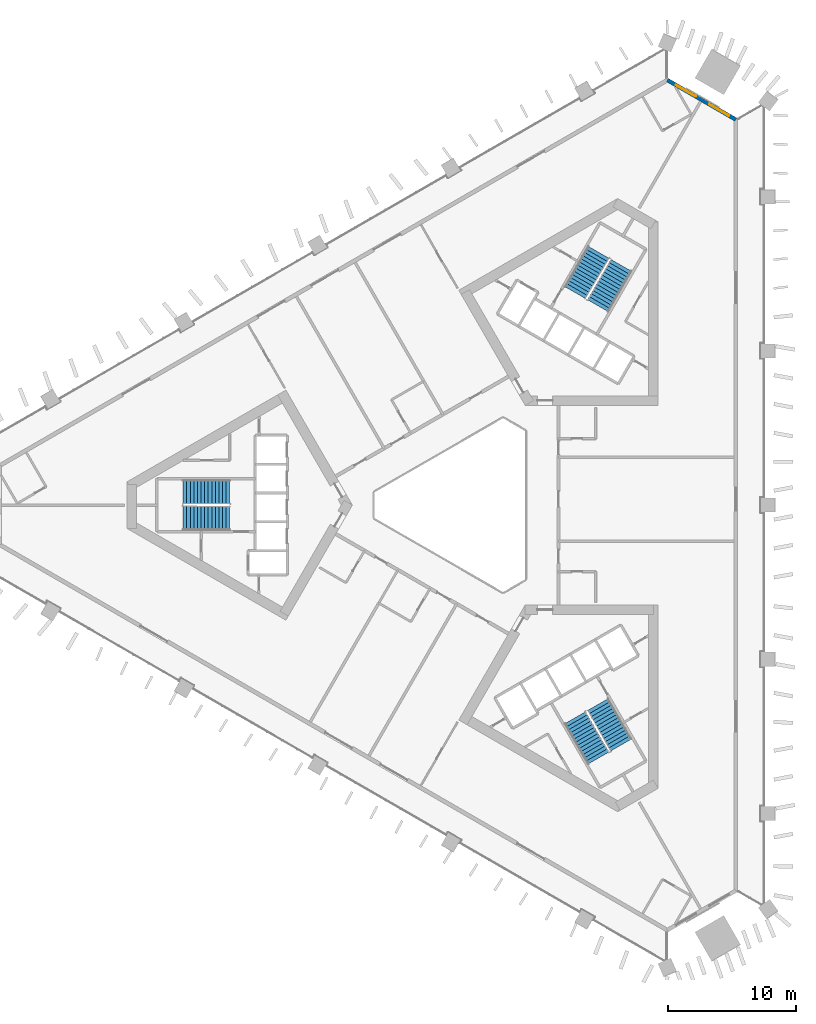
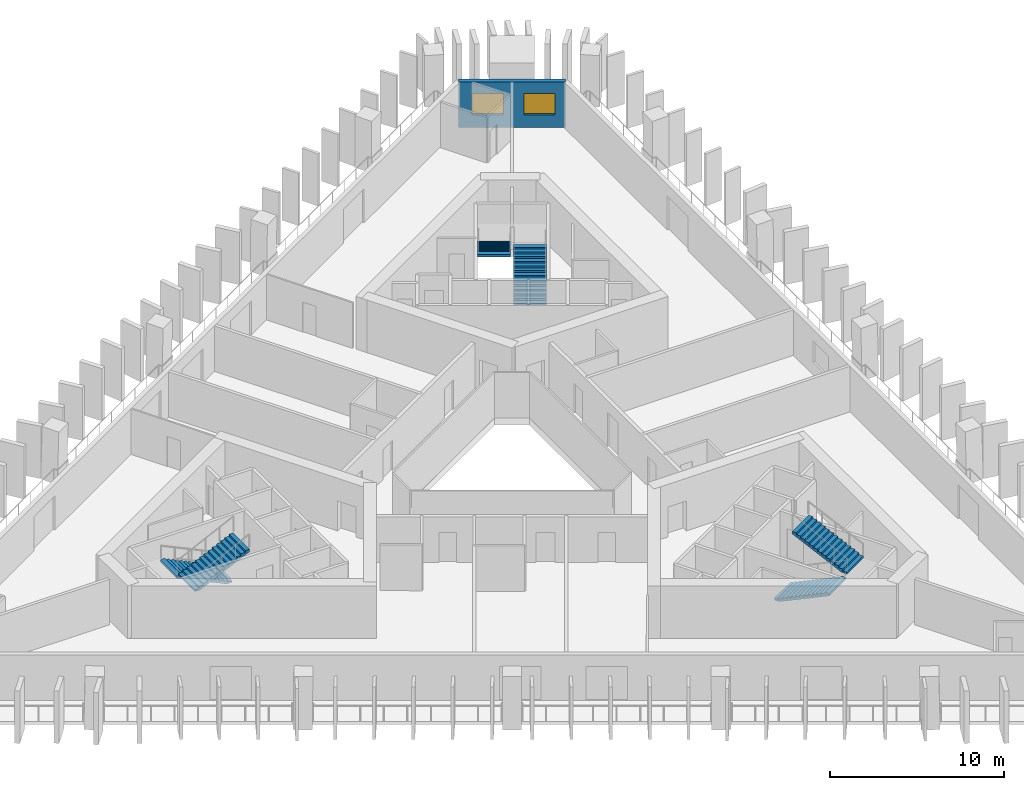
# One storey, part 6 of 10: 6 stair flights, 2 windows, 1 wall, 2 openings, 3 elements without a shape of their own.
"""IFC4 building model written with IfcOpenShell, lengths in metres."""

from ifc_helpers import new_model, si_unit, direction, frame, frame_2d, origin, place, context, subcontext, project, spatial, polyline, rectangle, outline, extrude, material, layer, layer_set, type_object, element, fill, aggregate, save


model = new_model("IFC4")

# Units and contexts
model_context = context("Model", 3, precision=1e-05, world=origin(), true_north=direction((0.0, 1.0)))
body_context = subcontext(model_context, "Body", "Model", "MODEL_VIEW")
ifc_project = project(units=[si_unit("LENGTHUNIT", "METRE"), si_unit("AREAUNIT", "SQUARE_METRE"), si_unit("VOLUMEUNIT", "CUBIC_METRE"), si_unit("PLANEANGLEUNIT", "RADIAN"), si_unit("MASSUNIT", "GRAM", prefix="KILO")], contexts=[model_context])

# Site, building, storey
site_placement = place(None, origin())
site = spatial("IfcSite", under=ifc_project, at=site_placement, CompositionType="ELEMENT")
building_placement = place(site_placement, origin())
building = spatial("IfcBuilding", under=site, at=building_placement, Name="Jabali Bay Hotel Tower and Convention Centre", CompositionType="ELEMENT")
storey_placement = place(building_placement, frame((0.0, 0.0, 57.300048828125)))
storey = spatial("IfcBuildingStorey", under=building, at=storey_placement, Name="L12", CompositionType="ELEMENT", Elevation=57.300048828125)

# Wall, openings, windows
ifc_material_1 = material(Name="Concrete C40", Category="concrete")
ifc_layer = layer(ifc_material_1, 0.300048828125)
ifc_layer_set = layer_set([ifc_layer], Name="Concrete C40")
wall_type = type_object("IfcWallType", Name="External wall 300", PredefinedType="SOLIDWALL", material=ifc_layer_set)
wall_placement = place(storey_placement, frame((90.6103515625, 113.2021484375, 0.0), z_axis=(0.0, 0.0, 1.0), x_axis=(0.866031251647, -0.499989871069, 0.0)))
wall = element("IfcWall", 1, at=wall_placement, inside=storey, type_object=wall_type, Name="External wall north-east chamfer L12", PredefinedType="SOLIDWALL", context=body_context, shape_type="SweptSolid", body=[
    extrude(rectangle(XDim=6.164306640625, YDim=0.300048828125, at=frame_2d((3.08203125, 0.0))), origin(), (0.0, 0.0, 1.0), 3.199951171875),
])
opening_1_placement = place(wall_placement, frame((0.781494140625, 0.0, 0.89990234375)))
opening_1 = element("IfcOpeningElement", 2, at=opening_1_placement, cuts=wall, Name="Opening W1", PredefinedType="OPENING", context=body_context, shape_type="SweptSolid", body=[
    extrude(rectangle(XDim=1.800048828125, YDim=1.5, at=frame_2d((0.89990234375, 0.75))), frame((0.0, 0.16064453125, 0.0), z_axis=(0.0, -1.0, 0.0), x_axis=(1.0, 0.0, 0.0)), (0.0, 0.0, 1.0), 0.321044921875),
])
opening_2_placement = place(wall_placement, frame((3.76611328125, 0.0, 0.89990234375)))
opening_2 = element("IfcOpeningElement", 3, at=opening_2_placement, cuts=wall, Name="Opening W1", PredefinedType="OPENING", context=body_context, shape_type="SweptSolid", body=[
    extrude(rectangle(XDim=1.800048828125, YDim=1.5, at=frame_2d((0.89990234375, 0.75))), frame((0.0, 0.16064453125, 0.0), z_axis=(0.0, -1.0, 0.0), x_axis=(1.0, 0.0, 0.0)), (0.0, 0.0, 1.0), 0.321044921875),
])
ifc_material_2 = material(Name="Glass", Category="glass")
window_type = type_object("IfcWindowType", Name="Window 1800 x 1500", PartitioningType="SINGLE_PANEL", PredefinedType="WINDOW", material=ifc_material_2)
window_1_placement = place(opening_1_placement, origin())
window_1 = element("IfcWindow", 4, at=window_1_placement, inside=storey, type_object=window_type, Name="Window 1203", OverallHeight=1.5, OverallWidth=1.800048828125, PartitioningType="SINGLE_PANEL", PredefinedType="WINDOW", context=body_context, shape_type="SweptSolid", body=[
    extrude(rectangle(XDim=1.800048828125, YDim=1.5, at=frame_2d((0.89990234375, 0.75))), frame((0.0, 0.030029296875, 0.0), z_axis=(0.0, -1.0, 0.0), x_axis=(1.0, 0.0, 0.0)), (0.0, 0.0, 1.0), 0.06005859375),
])
fill(opening_1, window_1)
window_2_placement = place(opening_2_placement, origin())
window_2 = element("IfcWindow", 5, at=window_2_placement, inside=storey, type_object=window_type, Name="Window 1202", OverallHeight=1.5, OverallWidth=1.800048828125, PartitioningType="SINGLE_PANEL", PredefinedType="WINDOW", context=body_context, shape_type="SweptSolid", body=[
    extrude(rectangle(XDim=1.800048828125, YDim=1.5, at=frame_2d((0.89990234375, 0.75))), frame((0.0, 0.030029296875, 0.0), z_axis=(0.0, -1.0, 0.0), x_axis=(1.0, 0.0, 0.0)), (0.0, 0.0, 1.0), 0.06005859375),
])
fill(opening_2, window_2)

# Stair, stair flights
stair_type = type_object("IfcStairType", Name="Exit stair 1900", PredefinedType="HALF_TURN_STAIR", material=ifc_material_1)
stair_1_placement = place(storey_placement, origin())
stair_1 = element("IfcStair", 6, at=stair_1_placement, inside=storey, type_object=stair_type, Name="L12 Exit Stair 1", PredefinedType="HALF_TURN_STAIR")
stair_flight_type = type_object("IfcStairFlightType", Name="Stair flight concrete 150", PredefinedType="STRAIGHT", material=ifc_material_1)
stair_flight_1_placement = place(storey_placement, frame((56.419921875, 81.02490234375, 0.0), z_axis=(0.0, 0.0, 1.0), x_axis=(-1.0, 0.0, 0.0)))
stair_flight_1 = element("IfcStairFlight", 7, at=stair_flight_1_placement, type_object=stair_flight_type, Name="ST1 flight 1", NumberOfRisers=14, NumberOfTreads=13, PredefinedType="STRAIGHT", RiserHeight=0.132142857, TreadLength=0.28, context=body_context, shape_type="SweptSolid", body=[
    extrude(outline(polyline([(0.0, 0.0), (0.0, 0.132080078125), (0.280029296875, 0.132080078125), (0.280029296875, 0.264404296875), (0.56005859375, 0.264404296875), (0.56005859375, 0.396484375), (0.840087890625, 0.396484375), (0.840087890625, 0.528564453125), (1.1201171875, 0.528564453125), (1.1201171875, 0.66064453125), (1.39990234375, 0.66064453125), (1.39990234375, 0.79296875), (1.679931640625, 0.79296875), (1.679931640625, 0.925048828125), (1.9599609375, 0.925048828125), (1.9599609375, 1.05712890625), (2.239990234375, 1.05712890625), (2.239990234375, 1.189208984375), (2.52001953125, 1.189208984375), (2.52001953125, 1.321533203125), (2.800048828125, 1.321533203125), (2.800048828125, 1.45361328125), (3.080078125, 1.45361328125), (3.080078125, 1.585693359375), (3.360107421875, 1.585693359375), (3.360107421875, 1.7177734375), (3.639892578125, 1.7177734375), (3.639892578125, 1.85009765625), (3.639892578125, 1.552001953125), (0.351318359375, 0.0), (0.0, 0.0)])), frame((0.0, 0.949951171875, 0.0), z_axis=(0.0, -1.0, 0.0), x_axis=(1.0, 0.0, 0.0)), (0.0, 0.0, 1.0), 1.89990234375),
])
stair_flight_2_placement = place(storey_placement, frame((52.780029296875, 78.97509765625, 1.849853515625), z_axis=(0.0, 0.0, 1.0), x_axis=(1.0, 0.0, 0.0)))
stair_flight_2 = element("IfcStairFlight", 8, at=stair_flight_2_placement, type_object=stair_flight_type, Name="ST1 flight 2", NumberOfRisers=14, NumberOfTreads=13, PredefinedType="STRAIGHT", RiserHeight=0.132142857, TreadLength=0.28, context=body_context, shape_type="SweptSolid", body=[
    extrude(outline(polyline([(0.0, 0.0), (0.0, 0.132080078125), (0.280029296875, 0.132080078125), (0.280029296875, 0.264404296875), (0.56005859375, 0.264404296875), (0.56005859375, 0.396484375), (0.840087890625, 0.396484375), (0.840087890625, 0.528564453125), (1.1201171875, 0.528564453125), (1.1201171875, 0.66064453125), (1.39990234375, 0.66064453125), (1.39990234375, 0.79296875), (1.679931640625, 0.79296875), (1.679931640625, 0.925048828125), (1.9599609375, 0.925048828125), (1.9599609375, 1.05712890625), (2.239990234375, 1.05712890625), (2.239990234375, 1.189208984375), (2.52001953125, 1.189208984375), (2.52001953125, 1.321533203125), (2.800048828125, 1.321533203125), (2.800048828125, 1.45361328125), (3.080078125, 1.45361328125), (3.080078125, 1.585693359375), (3.360107421875, 1.585693359375), (3.360107421875, 1.7177734375), (3.639892578125, 1.7177734375), (3.639892578125, 1.85009765625), (3.639892578125, 1.552001953125), (0.351318359375, 0.0), (0.0, 0.0)])), frame((0.0, 0.949951171875, 0.0), z_axis=(0.0, -1.0, 0.0), x_axis=(1.0, 0.0, 0.0)), (0.0, 0.0, 1.0), 1.89990234375),
])
aggregate(stair_1, [stair_flight_1, stair_flight_2])

stair_2_placement = place(storey_placement, origin())
stair_2 = element("IfcStair", 9, at=stair_2_placement, inside=storey, type_object=stair_type, Name="L12 Exit Stair 2", PredefinedType="HALF_TURN_STAIR")
stair_flight_3_placement = place(storey_placement, frame((85.177734375, 95.578369140625, 0.0), z_axis=(0.0, 0.0, 1.0), x_axis=(0.5, 0.866025403784, 0.0)))
stair_flight_3 = element("IfcStairFlight", 10, at=stair_flight_3_placement, type_object=stair_flight_type, Name="ST2 flight 1", NumberOfRisers=14, NumberOfTreads=13, PredefinedType="STRAIGHT", RiserHeight=0.132142857, TreadLength=0.28, context=body_context, shape_type="SweptSolid", body=[
    extrude(outline(polyline([(0.0, 0.0), (0.0, 0.132080078125), (0.280029296875, 0.132080078125), (0.280029296875, 0.264404296875), (0.56005859375, 0.264404296875), (0.56005859375, 0.396484375), (0.840087890625, 0.396484375), (0.840087890625, 0.528564453125), (1.1201171875, 0.528564453125), (1.1201171875, 0.66064453125), (1.39990234375, 0.66064453125), (1.39990234375, 0.79296875), (1.679931640625, 0.79296875), (1.679931640625, 0.925048828125), (1.9599609375, 0.925048828125), (1.9599609375, 1.05712890625), (2.239990234375, 1.05712890625), (2.239990234375, 1.189208984375), (2.52001953125, 1.189208984375), (2.52001953125, 1.321533203125), (2.800048828125, 1.321533203125), (2.800048828125, 1.45361328125), (3.080078125, 1.45361328125), (3.080078125, 1.585693359375), (3.360107421875, 1.585693359375), (3.360107421875, 1.7177734375), (3.639892578125, 1.7177734375), (3.639892578125, 1.85009765625), (3.639892578125, 1.552001953125), (0.351318359375, 0.0), (0.0, 0.0)])), frame((0.0, 0.949951171875, 0.0), z_axis=(0.0, -1.0, 0.0), x_axis=(1.0, 0.0, 0.0)), (0.0, 0.0, 1.0), 1.89990234375),
])
stair_flight_4_placement = place(storey_placement, frame((85.222412109375, 99.755615234375, 1.849853515625), z_axis=(0.0, 0.0, 1.0), x_axis=(-0.5, -0.866025403784, 0.0)))
stair_flight_4 = element("IfcStairFlight", 11, at=stair_flight_4_placement, type_object=stair_flight_type, Name="ST2 flight 2", NumberOfRisers=14, NumberOfTreads=13, PredefinedType="STRAIGHT", RiserHeight=0.132142857, TreadLength=0.28, context=body_context, shape_type="SweptSolid", body=[
    extrude(outline(polyline([(0.0, 0.0), (0.0, 0.132080078125), (0.280029296875, 0.132080078125), (0.280029296875, 0.264404296875), (0.56005859375, 0.264404296875), (0.56005859375, 0.396484375), (0.840087890625, 0.396484375), (0.840087890625, 0.528564453125), (1.1201171875, 0.528564453125), (1.1201171875, 0.66064453125), (1.39990234375, 0.66064453125), (1.39990234375, 0.79296875), (1.679931640625, 0.79296875), (1.679931640625, 0.925048828125), (1.9599609375, 0.925048828125), (1.9599609375, 1.05712890625), (2.239990234375, 1.05712890625), (2.239990234375, 1.189208984375), (2.52001953125, 1.189208984375), (2.52001953125, 1.321533203125), (2.800048828125, 1.321533203125), (2.800048828125, 1.45361328125), (3.080078125, 1.45361328125), (3.080078125, 1.585693359375), (3.360107421875, 1.585693359375), (3.360107421875, 1.7177734375), (3.639892578125, 1.7177734375), (3.639892578125, 1.85009765625), (3.639892578125, 1.552001953125), (0.351318359375, 0.0), (0.0, 0.0)])), frame((0.0, 0.949951171875, 0.0), z_axis=(0.0, -1.0, 0.0), x_axis=(1.0, 0.0, 0.0)), (0.0, 0.0, 1.0), 1.89990234375),
])
aggregate(stair_2, [stair_flight_3, stair_flight_4])

stair_3_placement = place(storey_placement, origin())
stair_3 = element("IfcStair", 12, at=stair_3_placement, inside=storey, type_object=stair_type, Name="L12 Exit Stair 3", PredefinedType="HALF_TURN_STAIR")
stair_flight_5_placement = place(storey_placement, frame((83.40234375, 63.396728515625, 0.0), z_axis=(0.0, 0.0, 1.0), x_axis=(0.5, -0.866025403784, 0.0)))
stair_flight_5 = element("IfcStairFlight", 13, at=stair_flight_5_placement, type_object=stair_flight_type, Name="ST3 flight 1", NumberOfRisers=14, NumberOfTreads=13, PredefinedType="STRAIGHT", RiserHeight=0.132142857, TreadLength=0.28, context=body_context, shape_type="SweptSolid", body=[
    extrude(outline(polyline([(0.0, 0.0), (0.0, 0.132080078125), (0.280029296875, 0.132080078125), (0.280029296875, 0.264404296875), (0.56005859375, 0.264404296875), (0.56005859375, 0.396484375), (0.840087890625, 0.396484375), (0.840087890625, 0.528564453125), (1.1201171875, 0.528564453125), (1.1201171875, 0.66064453125), (1.39990234375, 0.66064453125), (1.39990234375, 0.79296875), (1.679931640625, 0.79296875), (1.679931640625, 0.925048828125), (1.9599609375, 0.925048828125), (1.9599609375, 1.05712890625), (2.239990234375, 1.05712890625), (2.239990234375, 1.189208984375), (2.52001953125, 1.189208984375), (2.52001953125, 1.321533203125), (2.800048828125, 1.321533203125), (2.800048828125, 1.45361328125), (3.080078125, 1.45361328125), (3.080078125, 1.585693359375), (3.360107421875, 1.585693359375), (3.360107421875, 1.7177734375), (3.639892578125, 1.7177734375), (3.639892578125, 1.85009765625), (3.639892578125, 1.552001953125), (0.351318359375, 0.0), (0.0, 0.0)])), frame((0.0, 0.949951171875, 0.0), z_axis=(0.0, -1.0, 0.0), x_axis=(1.0, 0.0, 0.0)), (0.0, 0.0, 1.0), 1.89990234375),
])
stair_flight_6_placement = place(storey_placement, frame((86.99755859375, 61.26953125, 1.849853515625), z_axis=(0.0, 0.0, 1.0), x_axis=(-0.5, 0.866025403784, 0.0)))
stair_flight_6 = element("IfcStairFlight", 14, at=stair_flight_6_placement, type_object=stair_flight_type, Name="ST3 flight 2", NumberOfRisers=14, NumberOfTreads=13, PredefinedType="STRAIGHT", RiserHeight=0.132142857, TreadLength=0.28, context=body_context, shape_type="SweptSolid", body=[
    extrude(outline(polyline([(0.0, 0.0), (0.0, 0.132080078125), (0.280029296875, 0.132080078125), (0.280029296875, 0.264404296875), (0.56005859375, 0.264404296875), (0.56005859375, 0.396484375), (0.840087890625, 0.396484375), (0.840087890625, 0.528564453125), (1.1201171875, 0.528564453125), (1.1201171875, 0.66064453125), (1.39990234375, 0.66064453125), (1.39990234375, 0.79296875), (1.679931640625, 0.79296875), (1.679931640625, 0.925048828125), (1.9599609375, 0.925048828125), (1.9599609375, 1.05712890625), (2.239990234375, 1.05712890625), (2.239990234375, 1.189208984375), (2.52001953125, 1.189208984375), (2.52001953125, 1.321533203125), (2.800048828125, 1.321533203125), (2.800048828125, 1.45361328125), (3.080078125, 1.45361328125), (3.080078125, 1.585693359375), (3.360107421875, 1.585693359375), (3.360107421875, 1.7177734375), (3.639892578125, 1.7177734375), (3.639892578125, 1.85009765625), (3.639892578125, 1.552001953125), (0.351318359375, 0.0), (0.0, 0.0)])), frame((0.0, 0.949951171875, 0.0), z_axis=(0.0, -1.0, 0.0), x_axis=(1.0, 0.0, 0.0)), (0.0, 0.0, 1.0), 1.89990234375),
])
aggregate(stair_3, [stair_flight_5, stair_flight_6])

save(model, "model.ifc")
